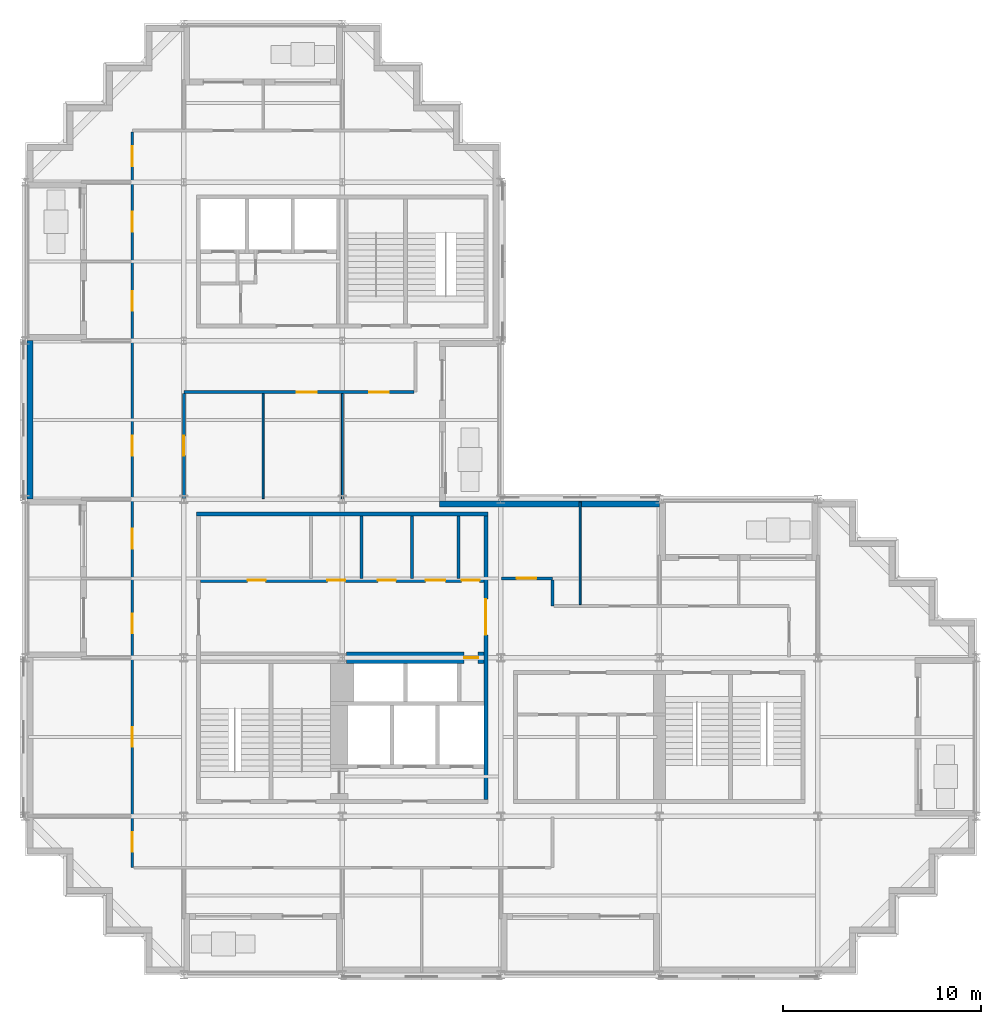
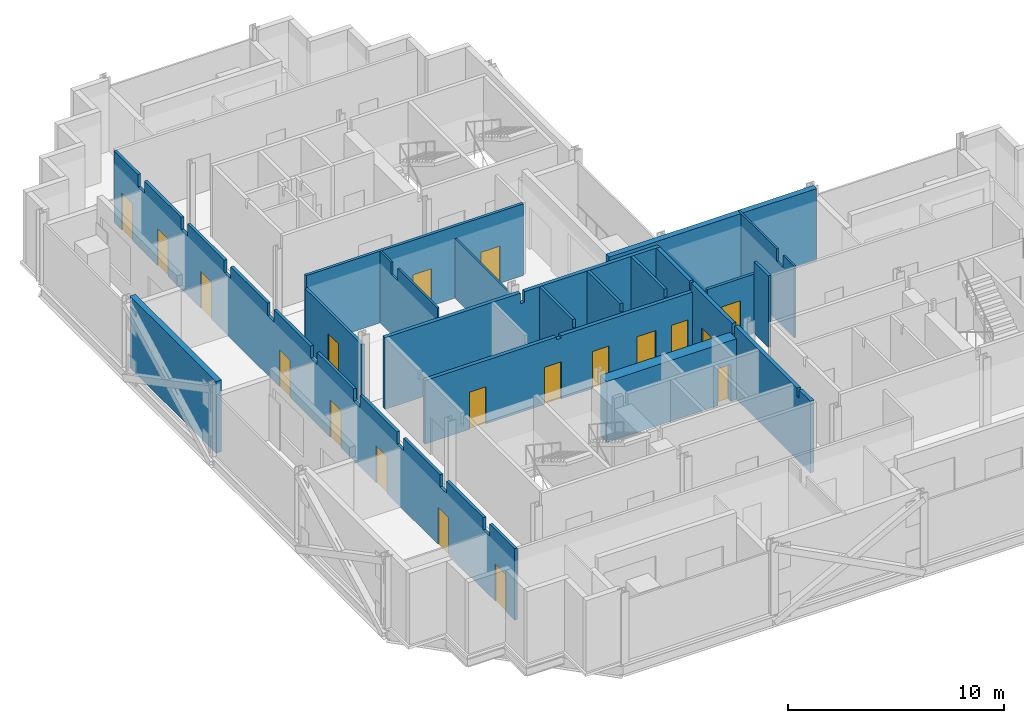
# One storey, part 6 of 13: 19 doors, 17 walls, 19 openings.
"""IFC4 building model written with IfcOpenShell, lengths in metres."""

import ifcopenshell
import ifcopenshell.guid

model = None  # the IFC model being written
_history = None  # IfcOwnerHistory: only IFC2X3 demands one
_inside = {}  # id of a spatial element -> (the spatial element, [elements in it])
_under = {}  # id of a project, library or spatial element -> (it, [spatial elements below it])
_declared = {}  # id of a project -> (the project, [libraries it declares])
_typed = {}  # id of a type object -> (the type object, [elements of that type])
_made_of = {}  # id of a material, layer set ... -> (it, [elements and type objects made of it])


def new_model(schema):
    """Start an empty IFC model of exactly this schema.

    Asked for "IFC4X3", IfcOpenShell would pick the latest addendum, in which some entities
    have other attributes; the version numbers below select the first issue.
    IFC2X3 requires an IfcOwnerHistory on every rooted entity: one is made here for all.
    """
    global model, _history
    if schema == "IFC4X3":
        model = ifcopenshell.file(schema_version=(4, 3, 0, 0))
    else:
        model = ifcopenshell.file(schema=schema)
    _inside.clear()
    _under.clear()
    _declared.clear()
    _typed.clear()
    _made_of.clear()
    _history = None
    if model.schema == "IFC2X3":
        org = make("IfcOrganization", Name="unknown")
        user = make(
            "IfcPersonAndOrganization",
            ThePerson=make("IfcPerson", FamilyName="unknown"),
            TheOrganization=org,
        )
        app = make(
            "IfcApplication",
            ApplicationDeveloper=org,
            Version="unknown",
            ApplicationFullName="unknown",
            ApplicationIdentifier="unknown",
        )
        _history = make(
            "IfcOwnerHistory",
            OwningUser=user,
            OwningApplication=app,
            ChangeAction="ADDED",
            CreationDate=0,
        )
    return model


def make(cls, **values):
    """One entity of the class cls with the attributes given. An attribute that is None is left unset."""
    return model.create_entity(
        cls, **{name: value for name, value in values.items() if value is not None}
    )


def rooted(cls, **values):
    """An entity with a GlobalId (a new one), such as an element, a storey or a relation."""
    return make(cls, GlobalId=ifcopenshell.guid.new(), OwnerHistory=_history, **values)


def si_unit(unit_type, name, prefix=None):
    """IfcSIUnit, for example si_unit("LENGTHUNIT", "METRE", prefix="MILLI")."""
    return make("IfcSIUnit", UnitType=unit_type, Prefix=prefix, Name=name)


def assignment(units):
    """IfcUnitAssignment: the units of a project."""
    return None if units is None else make("IfcUnitAssignment", Units=units)


def point(xyz):
    """IfcCartesianPoint."""
    return None if xyz is None else make("IfcCartesianPoint", Coordinates=xyz)


def direction(xyz):
    """IfcDirection."""
    return None if xyz is None else make("IfcDirection", DirectionRatios=xyz)


def frame(location, z_axis=None, x_axis=None):
    """IfcAxis2Placement3D, a coordinate frame: its origin and axes. An axis left out is left unset."""
    return make(
        "IfcAxis2Placement3D",
        Location=point(location),
        Axis=direction(z_axis),
        RefDirection=direction(x_axis),
    )


def frame_2d(location, x_axis=None):
    """IfcAxis2Placement2D, a coordinate frame in the plane: its origin and x axis."""
    return make(
        "IfcAxis2Placement2D", Location=point(location), RefDirection=direction(x_axis)
    )


def origin():
    """The frame at (0, 0, 0) with its axes left unset."""
    return frame((0.0, 0.0, 0.0))


def place(relative_to, where):
    """IfcLocalPlacement: puts the frame where relative to a parent placement (None: the world)."""
    return make(
        "IfcLocalPlacement", PlacementRelTo=relative_to, RelativePlacement=where
    )


def context(
    kind, dimensions, precision=None, world=None, true_north=None, identifier=None
):
    """IfcGeometricRepresentationContext, for example the 3D "Model" context."""
    return make(
        "IfcGeometricRepresentationContext",
        ContextIdentifier=identifier,
        ContextType=kind,
        CoordinateSpaceDimension=dimensions,
        Precision=precision,
        WorldCoordinateSystem=world,
        TrueNorth=true_north,
    )


def subcontext(parent, identifier, kind, view, scale=None):
    """IfcGeometricRepresentationSubContext, for example "Body" below "Model"."""
    return make(
        "IfcGeometricRepresentationSubContext",
        ContextIdentifier=identifier,
        ContextType=kind,
        ParentContext=parent,
        TargetScale=scale,
        TargetView=view,
    )


def project(units=None, contexts=None):
    """IfcProject with its units and contexts."""
    return rooted(
        "IfcProject",
        Name="project",
        RepresentationContexts=contexts,
        UnitsInContext=assignment(units),
    )


def spatial(cls, under=None, at=None, **own):
    """A site, building, storey or space (cls), placed at a placement, below another one or the project."""
    s = rooted(cls, ObjectPlacement=at, **own)
    if under is not None:
        _under.setdefault(under.id(), (under, []))[1].append(s)
    return s


def polyline(points):
    """IfcPolyline through the points."""
    return make("IfcPolyline", Points=[point(p) for p in points])


def profile(cls, at=None, kind="AREA", **sizes):
    """A parametric profile (cls). Its sizes go by their IFC names, for example OverallWidth=200.0."""
    return make(cls, ProfileType=kind, Position=at, **sizes)


def rectangle(**sizes):
    """IfcRectangleProfileDef."""
    return profile("IfcRectangleProfileDef", **sizes)


def outline(outer, holes=None, kind="AREA"):
    """IfcArbitraryClosedProfileDef: a profile drawn as a closed curve; with holes, ...WithVoids."""
    if holes is None:
        return make("IfcArbitraryClosedProfileDef", ProfileType=kind, OuterCurve=outer)
    return make(
        "IfcArbitraryProfileDefWithVoids",
        ProfileType=kind,
        OuterCurve=outer,
        InnerCurves=holes,
    )


def extrude(swept, where, along, depth):
    """IfcExtrudedAreaSolid: the profile swept, set in the frame where, extruded along a direction by depth."""
    return make(
        "IfcExtrudedAreaSolid",
        SweptArea=swept,
        Position=where,
        ExtrudedDirection=direction(along),
        Depth=depth,
    )


def shape(context_of_items, identifier, shape_type, items):
    """IfcShapeRepresentation: the items that make up one representation, for example the "Body"."""
    return make(
        "IfcShapeRepresentation",
        ContextOfItems=context_of_items,
        RepresentationIdentifier=identifier,
        RepresentationType=shape_type,
        Items=items,
    )


def material(Name=None, Category=None):
    """IfcMaterial."""
    return make("IfcMaterial", Name=Name, Category=Category)


def layer(
    of_material, thickness, ventilated=None, Name=None, Category=None, Priority=None
):
    """IfcMaterialLayer: one layer of a wall or slab, of a material (None: an air gap)."""
    return make(
        "IfcMaterialLayer",
        Material=of_material,
        LayerThickness=thickness,
        IsVentilated=ventilated,
        Name=Name,
        Category=Category,
        Priority=Priority,
    )


def layer_set(layers, Name=None):
    """IfcMaterialLayerSet."""
    return make("IfcMaterialLayerSet", MaterialLayers=layers, LayerSetName=Name)


def made_of(thing, what):
    """Note that an element or type object is made of a material, layer set ...; save() writes the relation."""
    if what is not None:
        _made_of.setdefault(what.id(), (what, []))[1].append(thing)
    return thing


def type_object(cls, material=None, **own):
    """A type object (cls), such as IfcWallType, which elements share."""
    return made_of(rooted(cls, **own), material)


def element(
    cls,
    number,
    at=None,
    inside=None,
    cuts=None,
    type_object=None,
    material=None,
    context=None,
    identifier="Body",
    shape_type=None,
    held_by="IfcProductDefinitionShape",
    body=None,
    shapes=None,
    **own,
):
    """One element of the class cls, such as IfcWall. Its Tag is "e" and its number.

    at: its placement. inside: the storey or other place that contains it. cuts: it is an
    opening in that element (IfcRelVoidsElement). A single representation is given by context,
    identifier, shape_type and body (its items); several are given by shapes. held_by: the class
    of the entity that holds the representations. save() writes the other relations.
    """
    e = rooted(cls, Tag="e%d" % number, ObjectPlacement=at, **own)
    if body is not None:
        shapes = [shape(context, identifier, shape_type, body)]
    if shapes is not None:
        e.Representation = make(held_by, Representations=shapes)
    if inside is not None:
        _inside.setdefault(inside.id(), (inside, []))[1].append(e)
    if cuts is not None:
        rooted(
            "IfcRelVoidsElement", RelatingBuildingElement=cuts, RelatedOpeningElement=e
        )
    if type_object is not None:
        _typed.setdefault(type_object.id(), (type_object, []))[1].append(e)
    return made_of(e, material)


def fill(opening, filler):
    """IfcRelFillsElement: the door or window that sits in an opening."""
    return rooted(
        "IfcRelFillsElement",
        RelatingOpeningElement=opening,
        RelatedBuildingElement=filler,
    )


def aggregate(whole, parts):
    """IfcRelAggregates: a whole, such as a stair, and the parts it consists of."""
    return rooted("IfcRelAggregates", RelatingObject=whole, RelatedObjects=parts)


def save(model, path):
    """Write the relations noted so far, then the file.

    IfcRelAggregates (storeys below a building ...), IfcRelContainedInSpatialStructure (elements
    in a storey), IfcRelDefinesByType, IfcRelAssociatesMaterial and IfcRelDeclares: one each for
    every whole, place, type object, material and project.
    """
    for whole, parts in _under.values():
        aggregate(whole, parts)
    for where, things in _inside.values():
        rooted(
            "IfcRelContainedInSpatialStructure",
            RelatedElements=things,
            RelatingStructure=where,
        )
    for kind, things in _typed.values():
        rooted("IfcRelDefinesByType", RelatedObjects=things, RelatingType=kind)
    for what, things in _made_of.values():
        rooted("IfcRelAssociatesMaterial", RelatedObjects=things, RelatingMaterial=what)
    for by, libraries in _declared.values():
        rooted("IfcRelDeclares", RelatingContext=by, RelatedDefinitions=libraries)
    model.write(path)


model = new_model("IFC4")

# Units and contexts
model_context = context("Model", 3, precision=1e-05, world=origin(), true_north=direction((0.0, 1.0)))
body_context = subcontext(model_context, "Body", "Model", "MODEL_VIEW")
ifc_project = project(units=[si_unit("LENGTHUNIT", "METRE"), si_unit("AREAUNIT", "SQUARE_METRE"), si_unit("VOLUMEUNIT", "CUBIC_METRE"), si_unit("PLANEANGLEUNIT", "RADIAN"), si_unit("MASSUNIT", "GRAM", prefix="KILO")], contexts=[model_context])

# Site, building, storey
site_placement = place(None, origin())
site = spatial("IfcSite", under=ifc_project, at=site_placement, CompositionType="ELEMENT")
building_placement = place(site_placement, origin())
building = spatial("IfcBuilding", under=site, at=building_placement, Name="Immortelle Media Tower", CompositionType="ELEMENT")
storey_placement = place(building_placement, frame((0.0, 0.0, 174.60009765625)))
storey = spatial("IfcBuildingStorey", under=building, at=storey_placement, Name="L36", CompositionType="ELEMENT", Elevation=174.60009765625)

# Wall, opening, door
ifc_material_1 = material(Name="Fire-rated masonry blockwork", Category="masonry")
ifc_layer_1 = layer(ifc_material_1, 0.60009765625)
ifc_layer_set_1 = layer_set([ifc_layer_1], Name="Fire-rated masonry blockwork")
wall_type_1 = type_object("IfcWallType", Name="Core grid-line wall 600", PredefinedType="PARTITIONING", material=ifc_layer_set_1)
wall_1_placement = place(storey_placement, frame((16.20947265625, 16.0, 0.0), z_axis=(0.0, 0.0, 1.0), x_axis=(1.0, 0.0, 0.0)))
wall_1 = element("IfcWall", 1, at=wall_1_placement, inside=storey, type_object=wall_type_1, Name="Core grid-line wall SW", PredefinedType="PARTITIONING", context=body_context, shape_type="SweptSolid", body=[
    extrude(rectangle(XDim=6.9404296875, YDim=0.60009765625, at=frame_2d((3.47021484375, 0.0))), origin(), (0.0, 0.0, 1.0), 3.44189453125),
])
opening_1_placement = place(wall_1_placement, frame((6.640380859375, 0.0, 0.0), z_axis=(0.0, 0.0, 1.0), x_axis=(-1.0, 0.0, 0.0)))
opening_1 = element("IfcOpeningElement", 2, at=opening_1_placement, cuts=wall_1, Name="Opening C6-K014", PredefinedType="OPENING", context=body_context, shape_type="SweptSolid", body=[
    extrude(rectangle(XDim=0.699951171875, YDim=2.10009765625, at=frame_2d((0.35009765625, 1.050048828125))), frame((0.0, 0.31005859375, 0.0), z_axis=(0.0, -1.0, 0.0), x_axis=(1.0, 0.0, 0.0)), (0.0, 0.0, 1.0), 0.6201171875),
])
ifc_material_2 = material(Name="Galvanised steel door leaf and frame ASTM A653", Category="steel")
door_type_1 = type_object("IfcDoorType", Name="Service door 700 x 2100", OperationType="NOTDEFINED", PredefinedType="NOTDEFINED", material=ifc_material_2)
door_1_placement = place(opening_1_placement, origin())
door_1 = element("IfcDoor", 3, at=door_1_placement, inside=storey, type_object=door_type_1, Name="Service C6-K014", OperationType="SINGLE_SWING_RIGHT", OverallHeight=2.10009765625, OverallWidth=0.699951171875, PredefinedType="NOTDEFINED", context=body_context, shape_type="SweptSolid", body=[
    extrude(rectangle(XDim=0.699951171875, YDim=2.10009765625, at=frame_2d((0.35009765625, 1.050048828125))), frame((0.0, 0.02490234375, 0.0), z_axis=(0.0, -1.0, 0.0), x_axis=(1.0, 0.0, 0.0)), (0.0, 0.0, 1.0), 0.050048828125),
])
fill(opening_1, door_1)

# Walls
ifc_material_3 = material(Name="Fire-rated gypsum board", Category="gypsum")
ifc_layer_2 = layer(ifc_material_3, 0.02490234375)
ifc_material_4 = material(Name="Steel ASTM A653 SS Gr 50 stud frame with mineral wool", Category="steel")
ifc_layer_3 = layer(ifc_material_4, 0.10009765625)
ifc_layer_4 = layer(ifc_material_3, 0.02490234375)
ifc_layer_set_2 = layer_set([ifc_layer_2, ifc_layer_3, ifc_layer_4], Name="Steel ASTM A653 SS Gr 50 stud frame with mineral wool")
wall_type_2 = type_object("IfcWallType", Name="Core partition 150", PredefinedType="PARTITIONING", material=ifc_layer_set_2)
for number, where, z_axis, x_axis, name in (
    (4, (16.97509765625, 20.0, 0.0), (0.0, 0.0, 1.0), (0.0, 1.0, 0.0), "Core partition SW"),
    (5, (19.52490234375, 20.0, 0.0), (0.0, 0.0, 1.0), (0.0, 1.0, 0.0), "Core partition SW"),
    (6, (21.875, 20.0, 0.0), (0.0, 0.0, 1.0), (0.0, 1.0, 0.0), "Core partition SW"),
):
    element("IfcWall", number, at=place(storey_placement, frame(where, z_axis=z_axis, x_axis=x_axis)), inside=storey, type_object=wall_type_2, Name=name, PredefinedType="PARTITIONING", context=body_context, shape_type="SweptSolid", body=[
        extrude(outline(polyline([(0.0, 0.0), (3.14990234375, 0.0), (3.14990234375, 4.0498046875), (0.08154296875, 4.0498046875), (0.08056640625, 3.5888671875), (0.0, 3.5888671875), (0.0, 0.0)])), frame((0.0, 0.074951171875, 0.0), z_axis=(0.0, -1.0, 0.0), x_axis=(1.0, 0.0, 0.0)), (0.0, 0.0, 1.0), 0.14990234375),
    ])
ifc_layer_5 = layer(ifc_material_3, 0.03759765625)
ifc_layer_6 = layer(ifc_material_4, 0.125)
ifc_layer_7 = layer(ifc_material_3, 0.03759765625)
ifc_layer_set_3 = layer_set([ifc_layer_5, ifc_layer_6, ifc_layer_7], Name="Steel ASTM A653 SS Gr 50 stud frame with mineral wool")
wall_type_3 = type_object("IfcWallType", Name="Core shaft wall 200", PredefinedType="PARTITIONING", material=ifc_layer_set_3)
wall_2_placement = place(storey_placement, frame((8.64990234375, 23.25, 0.0), z_axis=(0.0, 0.0, 1.0), x_axis=(1.0, 0.0, 0.0)))
element("IfcWall", 7, at=wall_2_placement, inside=storey, type_object=wall_type_3, Name="Core shaft wall SW", PredefinedType="PARTITIONING", context=body_context, shape_type="SweptSolid", body=[
    extrude(outline(polyline([(0.0, 0.0), (14.7001953125, 0.0), (14.699951171875, 4.0498046875), (7.468994140625, 4.0498046875), (7.468017578125, 3.44189453125), (7.23193359375, 3.44189453125), (7.23095703125, 4.0498046875), (0.0, 4.0498046875), (0.0, 0.0)])), frame((0.0, 0.10009765625, 0.0), z_axis=(0.0, -1.0, 0.0), x_axis=(1.0, 0.0, 0.0)), (0.0, 0.0, 1.0), 0.199951171875),
])

# Wall, openings, doors
wall_3_placement = place(storey_placement, frame((8.85009765625, 19.89990234375, 0.0), z_axis=(0.0, 0.0, 1.0), x_axis=(1.0, 0.0, 0.0)))
wall_3 = element("IfcWall", 8, at=wall_3_placement, inside=storey, type_object=wall_type_3, Name="Core shaft wall SW", PredefinedType="PARTITIONING", context=body_context, shape_type="SweptSolid", body=[
    extrude(outline(polyline([(0.0, 0.0), (14.2998046875, 0.0), (14.300048828125, 3.5888671875), (7.26904296875, 3.5888671875), (7.26806640625, 3.44189453125), (7.031982421875, 3.44189453125), (7.031005859375, 3.5888671875), (0.0, 3.5888671875), (0.0, 0.0)])), frame((0.0, 0.10009765625, 0.0), z_axis=(0.0, -1.0, 0.0), x_axis=(1.0, 0.0, 0.0)), (0.0, 0.0, 1.0), 0.199951171875),
])
opening_2_placement = place(wall_3_placement, frame((2.375, 0.0, 0.0)))
opening_2 = element("IfcOpeningElement", 9, at=opening_2_placement, cuts=wall_3, Name="Opening C6-K003", PredefinedType="OPENING", context=body_context, shape_type="SweptSolid", body=[
    extrude(rectangle(XDim=0.89990234375, YDim=2.10009765625, at=frame_2d((0.449951171875, 1.050048828125))), frame((0.0, 0.10986328125, 0.0), z_axis=(0.0, -1.0, 0.0), x_axis=(1.0, 0.0, 0.0)), (0.0, 0.0, 1.0), 0.219970703125),
])
opening_3_placement = place(wall_3_placement, frame((6.39990234375, 0.0, 0.0)))
opening_3 = element("IfcOpeningElement", 10, at=opening_3_placement, cuts=wall_3, Name="Opening C6-K005", PredefinedType="OPENING", context=body_context, shape_type="SweptSolid", body=[
    extrude(rectangle(XDim=0.89990234375, YDim=2.10009765625, at=frame_2d((0.449951171875, 1.050048828125))), frame((0.0, 0.10986328125, 0.0), z_axis=(0.0, -1.0, 0.0), x_axis=(1.0, 0.0, 0.0)), (0.0, 0.0, 1.0), 0.219970703125),
])
opening_4_placement = place(wall_3_placement, frame((8.949951171875, 0.0, 0.0)))
opening_4 = element("IfcOpeningElement", 11, at=opening_4_placement, cuts=wall_3, Name="Opening C6-K008", PredefinedType="OPENING", context=body_context, shape_type="SweptSolid", body=[
    extrude(rectangle(XDim=0.89990234375, YDim=2.10009765625, at=frame_2d((0.449951171875, 1.050048828125))), frame((0.0, 0.10986328125, 0.0), z_axis=(0.0, -1.0, 0.0), x_axis=(1.0, 0.0, 0.0)), (0.0, 0.0, 1.0), 0.219970703125),
])
opening_5_placement = place(wall_3_placement, frame((11.35009765625, 0.0, 0.0)))
opening_5 = element("IfcOpeningElement", 12, at=opening_5_placement, cuts=wall_3, Name="Opening C6-K011", PredefinedType="OPENING", context=body_context, shape_type="SweptSolid", body=[
    extrude(rectangle(XDim=1.0, YDim=2.10009765625, at=frame_2d((0.5, 1.050048828125))), frame((0.0, 0.10986328125, 0.0), z_axis=(0.0, -1.0, 0.0), x_axis=(1.0, 0.0, 0.0)), (0.0, 0.0, 1.0), 0.219970703125),
])
opening_6_placement = place(wall_3_placement, frame((13.175048828125, 0.0, 0.0)))
opening_6 = element("IfcOpeningElement", 13, at=opening_6_placement, cuts=wall_3, Name="Opening C6-K013", PredefinedType="OPENING", context=body_context, shape_type="SweptSolid", body=[
    extrude(rectangle(XDim=0.89990234375, YDim=2.10009765625, at=frame_2d((0.449951171875, 1.050048828125))), frame((0.0, 0.10986328125, 0.0), z_axis=(0.0, -1.0, 0.0), x_axis=(1.0, 0.0, 0.0)), (0.0, 0.0, 1.0), 0.219970703125),
])
ifc_material_5 = material(Name="Timber", Category="wood")
door_type_2 = type_object("IfcDoorType", Name="Accessible toilet door 1000 x 2100", OperationType="NOTDEFINED", PredefinedType="NOTDEFINED", material=ifc_material_5)
door_2_placement = place(opening_5_placement, origin())
door_2 = element("IfcDoor", 14, at=door_2_placement, inside=storey, type_object=door_type_2, Name="Accessible toilet C6-K011", OperationType="SINGLE_SWING_LEFT", OverallHeight=2.10009765625, OverallWidth=1.0, PredefinedType="NOTDEFINED", context=body_context, shape_type="SweptSolid", body=[
    extrude(rectangle(XDim=1.0, YDim=2.10009765625, at=frame_2d((0.5, 1.050048828125))), frame((0.0, 0.02490234375, 0.0), z_axis=(0.0, -1.0, 0.0), x_axis=(1.0, 0.0, 0.0)), (0.0, 0.0, 1.0), 0.050048828125),
])
fill(opening_5, door_2)
door_type_3 = type_object("IfcDoorType", Name="Room door 900 x 2100", OperationType="NOTDEFINED", PredefinedType="NOTDEFINED", material=ifc_material_5)
door_3_placement = place(opening_2_placement, origin())
door_3 = element("IfcDoor", 15, at=door_3_placement, inside=storey, type_object=door_type_3, Name="Room C6-K003", OperationType="SINGLE_SWING_RIGHT", OverallHeight=2.10009765625, OverallWidth=0.89990234375, PredefinedType="NOTDEFINED", context=body_context, shape_type="SweptSolid", body=[
    extrude(rectangle(XDim=0.89990234375, YDim=2.10009765625, at=frame_2d((0.449951171875, 1.050048828125))), frame((0.0, 0.02490234375, 0.0), z_axis=(0.0, -1.0, 0.0), x_axis=(1.0, 0.0, 0.0)), (0.0, 0.0, 1.0), 0.050048828125),
])
fill(opening_2, door_3)
door_type_4 = type_object("IfcDoorType", Name="Service door 900 x 2100", OperationType="NOTDEFINED", PredefinedType="NOTDEFINED", material=ifc_material_2)
door_4_placement = place(opening_6_placement, origin())
door_4 = element("IfcDoor", 16, at=door_4_placement, inside=storey, type_object=door_type_4, Name="Service C6-K013", OperationType="SINGLE_SWING_LEFT", OverallHeight=2.10009765625, OverallWidth=0.89990234375, PredefinedType="NOTDEFINED", context=body_context, shape_type="SweptSolid", body=[
    extrude(rectangle(XDim=0.89990234375, YDim=2.10009765625, at=frame_2d((0.449951171875, 1.050048828125))), frame((0.0, 0.02490234375, 0.0), z_axis=(0.0, -1.0, 0.0), x_axis=(1.0, 0.0, 0.0)), (0.0, 0.0, 1.0), 0.050048828125),
])
fill(opening_6, door_4)
door_type_5 = type_object("IfcDoorType", Name="Toilet door 900 x 2100", OperationType="NOTDEFINED", PredefinedType="NOTDEFINED", material=ifc_material_5)
door_5_placement = place(opening_3_placement, origin())
door_5 = element("IfcDoor", 17, at=door_5_placement, inside=storey, type_object=door_type_5, Name="Toilet C6-K005", OperationType="SINGLE_SWING_RIGHT", OverallHeight=2.10009765625, OverallWidth=0.89990234375, PredefinedType="NOTDEFINED", context=body_context, shape_type="SweptSolid", body=[
    extrude(rectangle(XDim=0.89990234375, YDim=2.10009765625, at=frame_2d((0.449951171875, 1.050048828125))), frame((0.0, 0.02490234375, 0.0), z_axis=(0.0, -1.0, 0.0), x_axis=(1.0, 0.0, 0.0)), (0.0, 0.0, 1.0), 0.050048828125),
])
fill(opening_3, door_5)
door_6_placement = place(opening_4_placement, origin())
door_6 = element("IfcDoor", 18, at=door_6_placement, inside=storey, type_object=door_type_5, Name="Toilet C6-K008", OperationType="SINGLE_SWING_RIGHT", OverallHeight=2.10009765625, OverallWidth=0.89990234375, PredefinedType="NOTDEFINED", context=body_context, shape_type="SweptSolid", body=[
    extrude(rectangle(XDim=0.89990234375, YDim=2.10009765625, at=frame_2d((0.449951171875, 1.050048828125))), frame((0.0, 0.02490234375, 0.0), z_axis=(0.0, -1.0, 0.0), x_axis=(1.0, 0.0, 0.0)), (0.0, 0.0, 1.0), 0.050048828125),
])
fill(opening_4, door_6)

# Wall, opening, door
wall_4_placement = place(storey_placement, frame((23.25, 8.85009765625, 0.0), z_axis=(0.0, 0.0, 1.0), x_axis=(0.0, 1.0, 0.0)))
wall_4 = element("IfcWall", 19, at=wall_4_placement, inside=storey, type_object=wall_type_3, Name="Core shaft wall SW", PredefinedType="PARTITIONING", context=body_context, shape_type="SweptSolid", body=[
    extrude(outline(polyline([(0.0, 0.0), (14.2998046875, 0.0), (14.300048828125, 4.0498046875), (11.2314453125, 4.0498046875), (11.23046875, 3.5888671875), (11.069580078125, 3.5888671875), (11.068603515625, 4.0498046875), (7.26904296875, 4.0498046875), (7.26806640625, 3.44189453125), (7.031982421875, 3.44189453125), (7.031005859375, 4.0498046875), (1.2314453125, 4.0498046875), (1.23046875, 3.5888671875), (1.069580078125, 3.5888671875), (1.068603515625, 4.0498046875), (0.0, 4.0498046875), (0.0, 0.0)])), frame((0.0, 0.10009765625, 0.0), z_axis=(0.0, -1.0, 0.0), x_axis=(1.0, 0.0, 0.0)), (0.0, 0.0, 1.0), 0.199951171875),
])
opening_7_placement = place(wall_4_placement, frame((8.300048828125, 0.0, 0.0)))
opening_7 = element("IfcOpeningElement", 20, at=opening_7_placement, cuts=wall_4, Name="Opening C6-K015", PredefinedType="OPENING", context=body_context, shape_type="SweptSolid", body=[
    extrude(rectangle(XDim=1.800048828125, YDim=2.10009765625, at=frame_2d((0.89990234375, 1.050048828125))), frame((0.0, 0.10986328125, 0.0), z_axis=(0.0, -1.0, 0.0), x_axis=(1.0, 0.0, 0.0)), (0.0, 0.0, 1.0), 0.219970703125),
])
door_type_6 = type_object("IfcDoorType", Name="Lift lobby door 1800 x 2100", OperationType="DOUBLE_DOOR_SINGLE_SWING", PredefinedType="NOTDEFINED", material=ifc_material_2)
door_7_placement = place(opening_7_placement, origin())
door_7 = element("IfcDoor", 21, at=door_7_placement, inside=storey, type_object=door_type_6, Name="Lift lobby C6-K015", OperationType="DOUBLE_DOOR_SINGLE_SWING", OverallHeight=2.10009765625, OverallWidth=1.800048828125, PredefinedType="NOTDEFINED", context=body_context, shape_type="SweptSolid", body=[
    extrude(rectangle(XDim=1.800048828125, YDim=2.10009765625, at=frame_2d((0.89990234375, 1.050048828125))), frame((0.0, 0.02490234375, 0.0), z_axis=(0.0, -1.0, 0.0), x_axis=(1.0, 0.0, 0.0)), (0.0, 0.0, 1.0), 0.050048828125),
])
fill(opening_7, door_7)

# Wall, openings, doors
ifc_layer_8 = layer(ifc_material_3, 0.012451171875)
ifc_layer_9 = layer(ifc_material_4, 0.125)
ifc_layer_10 = layer(ifc_material_3, 0.012451171875)
ifc_layer_set_4 = layer_set([ifc_layer_8, ifc_layer_9, ifc_layer_10], Name="Steel ASTM A653 SS Gr 50 stud frame with mineral wool")
wall_type_4 = type_object("IfcWallType", Name="Corridor wall 150", PredefinedType="PARTITIONING", material=ifc_layer_set_4)
wall_5_placement = place(storey_placement, frame((5.39990234375, 5.39990234375, 0.0), z_axis=(0.0, 0.0, 1.0), x_axis=(0.0, 1.0, 0.0)))
wall_5 = element("IfcWall", 22, at=wall_5_placement, inside=storey, type_object=wall_type_4, Name="Partition L36-006", PredefinedType="PARTITIONING", context=body_context, shape_type="SweptSolid", body=[
    extrude(outline(polyline([(0.0, 0.0), (37.125, 0.0), (37.125, 4.0498046875), (34.89990234375, 4.0498046875), (34.89794921875, 3.35400390625), (34.302001953125, 3.35400390625), (34.300048828125, 4.0498046875), (30.89990234375, 4.0498046875), (30.89794921875, 3.35400390625), (30.302001953125, 3.35400390625), (30.300048828125, 4.0498046875), (26.89990234375, 4.0498046875), (26.89794921875, 3.35400390625), (26.302001953125, 3.35400390625), (26.300048828125, 4.0498046875), (22.89990234375, 4.0498046875), (22.89794921875, 3.35400390625), (22.302001953125, 3.35400390625), (22.300048828125, 4.0498046875), (18.89990234375, 4.0498046875), (18.89794921875, 3.35400390625), (18.302001953125, 3.35400390625), (18.300048828125, 4.0498046875), (14.89990234375, 4.0498046875), (14.89794921875, 3.35400390625), (14.302001953125, 3.35400390625), (14.300048828125, 4.0498046875), (10.89990234375, 4.0498046875), (10.89794921875, 3.35400390625), (10.302001953125, 3.35400390625), (10.300048828125, 4.0498046875), (6.89990234375, 4.0498046875), (6.89794921875, 3.35400390625), (6.302001953125, 3.35400390625), (6.300048828125, 4.0498046875), (2.89990234375, 4.0498046875), (2.89794921875, 3.35400390625), (2.302001953125, 3.35400390625), (2.300048828125, 4.0498046875), (0.0, 4.0498046875), (0.0, 0.0)])), frame((0.0, 0.074951171875, 0.0), z_axis=(0.0, -1.0, 0.0), x_axis=(1.0, 0.0, 0.0)), (0.0, 0.0, 1.0), 0.14990234375),
])
opening_8_placement = place(wall_5_placement, frame((0.800048828125, 0.0, 0.0)))
opening_8 = element("IfcOpeningElement", 23, at=opening_8_placement, cuts=wall_5, Name="Opening C6-F004", PredefinedType="OPENING", context=body_context, shape_type="SweptSolid", body=[
    extrude(rectangle(XDim=1.0, YDim=2.10009765625, at=frame_2d((0.5, 1.050048828125))), frame((0.0, 0.0849609375, 0.0), z_axis=(0.0, -1.0, 0.0), x_axis=(1.0, 0.0, 0.0)), (0.0, 0.0, 1.0), 0.169921875),
])
opening_9_placement = place(wall_5_placement, frame((6.10009765625, 0.0, 0.0)))
opening_9 = element("IfcOpeningElement", 24, at=opening_9_placement, cuts=wall_5, Name="Opening C6-F006", PredefinedType="OPENING", context=body_context, shape_type="SweptSolid", body=[
    extrude(rectangle(XDim=1.0, YDim=2.10009765625, at=frame_2d((0.5, 1.050048828125))), frame((0.0, 0.0849609375, 0.0), z_axis=(0.0, -1.0, 0.0), x_axis=(1.0, 0.0, 0.0)), (0.0, 0.0, 1.0), 0.169921875),
])
opening_10_placement = place(wall_5_placement, frame((11.824951171875, 0.0, 0.0)))
opening_10 = element("IfcOpeningElement", 25, at=opening_10_placement, cuts=wall_5, Name="Opening C6-F009", PredefinedType="OPENING", context=body_context, shape_type="SweptSolid", body=[
    extrude(rectangle(XDim=1.0, YDim=2.10009765625, at=frame_2d((0.5, 1.050048828125))), frame((0.0, 0.0849609375, 0.0), z_axis=(0.0, -1.0, 0.0), x_axis=(1.0, 0.0, 0.0)), (0.0, 0.0, 1.0), 0.169921875),
])
opening_11_placement = place(wall_5_placement, frame((16.10009765625, 0.0, 0.0)))
opening_11 = element("IfcOpeningElement", 26, at=opening_11_placement, cuts=wall_5, Name="Opening C6-F010", PredefinedType="OPENING", context=body_context, shape_type="SweptSolid", body=[
    extrude(rectangle(XDim=1.0, YDim=2.10009765625, at=frame_2d((0.5, 1.050048828125))), frame((0.0, 0.0849609375, 0.0), z_axis=(0.0, -1.0, 0.0), x_axis=(1.0, 0.0, 0.0)), (0.0, 0.0, 1.0), 0.169921875),
])
opening_12_placement = place(wall_5_placement, frame((20.800048828125, 0.0, 0.0)))
opening_12 = element("IfcOpeningElement", 27, at=opening_12_placement, cuts=wall_5, Name="Opening C6-F016", PredefinedType="OPENING", context=body_context, shape_type="SweptSolid", body=[
    extrude(rectangle(XDim=1.0, YDim=2.10009765625, at=frame_2d((0.5, 1.050048828125))), frame((0.0, 0.0849609375, 0.0), z_axis=(0.0, -1.0, 0.0), x_axis=(1.0, 0.0, 0.0)), (0.0, 0.0, 1.0), 0.169921875),
])
opening_13_placement = place(wall_5_placement, frame((28.10009765625, 0.0, 0.0)))
opening_13 = element("IfcOpeningElement", 28, at=opening_13_placement, cuts=wall_5, Name="Opening C6-F017", PredefinedType="OPENING", context=body_context, shape_type="SweptSolid", body=[
    extrude(rectangle(XDim=1.0, YDim=2.10009765625, at=frame_2d((0.5, 1.050048828125))), frame((0.0, 0.0849609375, 0.0), z_axis=(0.0, -1.0, 0.0), x_axis=(1.0, 0.0, 0.0)), (0.0, 0.0, 1.0), 0.169921875),
])
opening_14_placement = place(wall_5_placement, frame((32.10009765625, 0.0, 0.0)))
opening_14 = element("IfcOpeningElement", 29, at=opening_14_placement, cuts=wall_5, Name="Opening C6-F018", PredefinedType="OPENING", context=body_context, shape_type="SweptSolid", body=[
    extrude(rectangle(XDim=1.0, YDim=2.10009765625, at=frame_2d((0.5, 1.050048828125))), frame((0.0, 0.0849609375, 0.0), z_axis=(0.0, -1.0, 0.0), x_axis=(1.0, 0.0, 0.0)), (0.0, 0.0, 1.0), 0.169921875),
])
opening_15_placement = place(wall_5_placement, frame((35.39990234375, 0.0, 0.0)))
opening_15 = element("IfcOpeningElement", 30, at=opening_15_placement, cuts=wall_5, Name="Opening C6-F019", PredefinedType="OPENING", context=body_context, shape_type="SweptSolid", body=[
    extrude(rectangle(XDim=1.0, YDim=2.10009765625, at=frame_2d((0.5, 1.050048828125))), frame((0.0, 0.0849609375, 0.0), z_axis=(0.0, -1.0, 0.0), x_axis=(1.0, 0.0, 0.0)), (0.0, 0.0, 1.0), 0.169921875),
])
ifc_material_6 = material(Name="Timber veneered door leaf, galvanised steel frame ASTM A653", Category="steel")
door_type_7 = type_object("IfcDoorType", Name="Room door 1000 x 2100", OperationType="NOTDEFINED", PredefinedType="DOOR", material=ifc_material_6)
door_8_placement = place(opening_8_placement, origin())
door_8 = element("IfcDoor", 31, at=door_8_placement, inside=storey, type_object=door_type_7, Name="Door C6-F004", OperationType="SINGLE_SWING_RIGHT", OverallHeight=2.10009765625, OverallWidth=1.0, PredefinedType="DOOR", context=body_context, shape_type="SweptSolid", body=[
    extrude(rectangle(XDim=1.0, YDim=2.10009765625, at=frame_2d((0.5, 1.050048828125))), frame((0.0, 0.02490234375, 0.0), z_axis=(0.0, -1.0, 0.0), x_axis=(1.0, 0.0, 0.0)), (0.0, 0.0, 1.0), 0.050048828125),
])
fill(opening_8, door_8)
door_9_placement = place(opening_9_placement, origin())
door_9 = element("IfcDoor", 32, at=door_9_placement, inside=storey, type_object=door_type_7, Name="Door C6-F006", OperationType="SINGLE_SWING_RIGHT", OverallHeight=2.10009765625, OverallWidth=1.0, PredefinedType="DOOR", context=body_context, shape_type="SweptSolid", body=[
    extrude(rectangle(XDim=1.0, YDim=2.10009765625, at=frame_2d((0.5, 1.050048828125))), frame((0.0, 0.02490234375, 0.0), z_axis=(0.0, -1.0, 0.0), x_axis=(1.0, 0.0, 0.0)), (0.0, 0.0, 1.0), 0.050048828125),
])
fill(opening_9, door_9)
door_10_placement = place(opening_10_placement, origin())
door_10 = element("IfcDoor", 33, at=door_10_placement, inside=storey, type_object=door_type_7, Name="Door C6-F009", OperationType="SINGLE_SWING_LEFT", OverallHeight=2.10009765625, OverallWidth=1.0, PredefinedType="DOOR", context=body_context, shape_type="SweptSolid", body=[
    extrude(rectangle(XDim=1.0, YDim=2.10009765625, at=frame_2d((0.5, 1.050048828125))), frame((0.0, 0.02490234375, 0.0), z_axis=(0.0, -1.0, 0.0), x_axis=(1.0, 0.0, 0.0)), (0.0, 0.0, 1.0), 0.050048828125),
])
fill(opening_10, door_10)
door_11_placement = place(opening_11_placement, origin())
door_11 = element("IfcDoor", 34, at=door_11_placement, inside=storey, type_object=door_type_7, Name="Door C6-F010", OperationType="SINGLE_SWING_RIGHT", OverallHeight=2.10009765625, OverallWidth=1.0, PredefinedType="DOOR", context=body_context, shape_type="SweptSolid", body=[
    extrude(rectangle(XDim=1.0, YDim=2.10009765625, at=frame_2d((0.5, 1.050048828125))), frame((0.0, 0.02490234375, 0.0), z_axis=(0.0, -1.0, 0.0), x_axis=(1.0, 0.0, 0.0)), (0.0, 0.0, 1.0), 0.050048828125),
])
fill(opening_11, door_11)
door_12_placement = place(opening_12_placement, origin())
door_12 = element("IfcDoor", 35, at=door_12_placement, inside=storey, type_object=door_type_7, Name="Door C6-F016", OperationType="SINGLE_SWING_LEFT", OverallHeight=2.10009765625, OverallWidth=1.0, PredefinedType="DOOR", context=body_context, shape_type="SweptSolid", body=[
    extrude(rectangle(XDim=1.0, YDim=2.10009765625, at=frame_2d((0.5, 1.050048828125))), frame((0.0, 0.02490234375, 0.0), z_axis=(0.0, -1.0, 0.0), x_axis=(1.0, 0.0, 0.0)), (0.0, 0.0, 1.0), 0.050048828125),
])
fill(opening_12, door_12)
door_13_placement = place(opening_13_placement, origin())
door_13 = element("IfcDoor", 36, at=door_13_placement, inside=storey, type_object=door_type_7, Name="Door C6-F017", OperationType="SINGLE_SWING_RIGHT", OverallHeight=2.10009765625, OverallWidth=1.0, PredefinedType="DOOR", context=body_context, shape_type="SweptSolid", body=[
    extrude(rectangle(XDim=1.0, YDim=2.10009765625, at=frame_2d((0.5, 1.050048828125))), frame((0.0, 0.02490234375, 0.0), z_axis=(0.0, -1.0, 0.0), x_axis=(1.0, 0.0, 0.0)), (0.0, 0.0, 1.0), 0.050048828125),
])
fill(opening_13, door_13)
door_14_placement = place(opening_14_placement, origin())
door_14 = element("IfcDoor", 37, at=door_14_placement, inside=storey, type_object=door_type_7, Name="Door C6-F018", OperationType="SINGLE_SWING_RIGHT", OverallHeight=2.10009765625, OverallWidth=1.0, PredefinedType="DOOR", context=body_context, shape_type="SweptSolid", body=[
    extrude(rectangle(XDim=1.0, YDim=2.10009765625, at=frame_2d((0.5, 1.050048828125))), frame((0.0, 0.02490234375, 0.0), z_axis=(0.0, -1.0, 0.0), x_axis=(1.0, 0.0, 0.0)), (0.0, 0.0, 1.0), 0.050048828125),
])
fill(opening_14, door_14)
door_15_placement = place(opening_15_placement, origin())
door_15 = element("IfcDoor", 38, at=door_15_placement, inside=storey, type_object=door_type_7, Name="Door C6-F019", OperationType="SINGLE_SWING_LEFT", OverallHeight=2.10009765625, OverallWidth=1.0, PredefinedType="DOOR", context=body_context, shape_type="SweptSolid", body=[
    extrude(rectangle(XDim=1.0, YDim=2.10009765625, at=frame_2d((0.5, 1.050048828125))), frame((0.0, 0.02490234375, 0.0), z_axis=(0.0, -1.0, 0.0), x_axis=(1.0, 0.0, 0.0)), (0.0, 0.0, 1.0), 0.050048828125),
])
fill(opening_15, door_15)

# Wall
wall_6_placement = place(storey_placement, frame((26.60009765625, 18.60009765625, 0.0), z_axis=(0.0, 0.0, 1.0), x_axis=(0.0, 1.0, 0.0)))
element("IfcWall", 39, at=wall_6_placement, inside=storey, type_object=wall_type_4, Name="Partition L36-013", PredefinedType="PARTITIONING", context=body_context, shape_type="SweptSolid", body=[
    extrude(rectangle(XDim=1.324951171875, YDim=0.14990234375, at=frame_2d((0.66259765625, 0.0))), origin(), (0.0, 0.0, 1.0), 4.0498046875),
])

# Wall, opening, door
wall_7_placement = place(storey_placement, frame((24.030029296875, 20.0, 0.0), z_axis=(0.0, 0.0, 1.0), x_axis=(1.0, 0.0, 0.0)))
wall_7 = element("IfcWall", 40, at=wall_7_placement, inside=storey, type_object=wall_type_4, Name="Partition L36-018", PredefinedType="PARTITIONING", context=body_context, shape_type="SweptSolid", body=[
    extrude(rectangle(XDim=2.570068359375, YDim=0.14990234375, at=frame_2d((1.28515625, 0.0))), origin(), (0.0, 0.0, 1.0), 3.35400390625),
])
opening_16_placement = place(wall_7_placement, frame((0.77001953125, 0.0, 0.0)))
opening_16 = element("IfcOpeningElement", 41, at=opening_16_placement, cuts=wall_7, Name="Opening C6-F011", PredefinedType="OPENING", context=body_context, shape_type="SweptSolid", body=[
    extrude(rectangle(XDim=1.0, YDim=2.10009765625, at=frame_2d((0.5, 1.050048828125))), frame((0.0, 0.0849609375, 0.0), z_axis=(0.0, -1.0, 0.0), x_axis=(1.0, 0.0, 0.0)), (0.0, 0.0, 1.0), 0.169921875),
])
door_16_placement = place(opening_16_placement, origin())
door_16 = element("IfcDoor", 42, at=door_16_placement, inside=storey, type_object=door_type_7, Name="Door C6-F011", OperationType="SINGLE_SWING_LEFT", OverallHeight=2.10009765625, OverallWidth=1.0, PredefinedType="DOOR", context=body_context, shape_type="SweptSolid", body=[
    extrude(rectangle(XDim=1.0, YDim=2.10009765625, at=frame_2d((0.5, 1.050048828125))), frame((0.0, 0.02490234375, 0.0), z_axis=(0.0, -1.0, 0.0), x_axis=(1.0, 0.0, 0.0)), (0.0, 0.0, 1.0), 0.050048828125),
])
fill(opening_16, door_16)

wall_8_placement = place(storey_placement, frame((8.0, 24.030029296875, 0.0), z_axis=(0.0, 0.0, 1.0), x_axis=(0.0, 1.0, 0.0)))
wall_8 = element("IfcWall", 43, at=wall_8_placement, inside=storey, type_object=wall_type_4, Name="Partition L36-020", PredefinedType="PARTITIONING", context=body_context, shape_type="SweptSolid", body=[
    extrude(rectangle(XDim=5.294921875, YDim=0.14990234375, at=frame_2d((2.6474609375, 0.0))), origin(), (0.0, 0.0, 1.0), 3.35400390625),
])
opening_17_placement = place(wall_8_placement, frame((3.169921875, 0.0, 0.0), z_axis=(0.0, 0.0, 1.0), x_axis=(-1.0, 0.0, 0.0)))
opening_17 = element("IfcOpeningElement", 44, at=opening_17_placement, cuts=wall_8, Name="Opening C6-F013", PredefinedType="OPENING", context=body_context, shape_type="SweptSolid", body=[
    extrude(rectangle(XDim=1.0, YDim=2.10009765625, at=frame_2d((0.5, 1.050048828125))), frame((0.0, 0.0849609375, 0.0), z_axis=(0.0, -1.0, 0.0), x_axis=(1.0, 0.0, 0.0)), (0.0, 0.0, 1.0), 0.169921875),
])
door_17_placement = place(opening_17_placement, origin())
door_17 = element("IfcDoor", 45, at=door_17_placement, inside=storey, type_object=door_type_7, Name="Door C6-F013", OperationType="SINGLE_SWING_RIGHT", OverallHeight=2.10009765625, OverallWidth=1.0, PredefinedType="DOOR", context=body_context, shape_type="SweptSolid", body=[
    extrude(rectangle(XDim=1.0, YDim=2.10009765625, at=frame_2d((0.5, 1.050048828125))), frame((0.0, 0.02490234375, 0.0), z_axis=(0.0, -1.0, 0.0), x_axis=(1.0, 0.0, 0.0)), (0.0, 0.0, 1.0), 0.050048828125),
])
fill(opening_17, door_17)

# Wall, openings, doors
wall_9_placement = place(storey_placement, frame((8.0, 29.39990234375, 0.0), z_axis=(0.0, 0.0, 1.0), x_axis=(1.0, 0.0, 0.0)))
wall_9 = element("IfcWall", 46, at=wall_9_placement, inside=storey, type_object=wall_type_4, Name="Partition L36-023", PredefinedType="PARTITIONING", context=body_context, shape_type="SweptSolid", body=[
    extrude(rectangle(XDim=11.625, YDim=0.14990234375, at=frame_2d((5.8125, 0.0))), origin(), (0.0, 0.0, 1.0), 4.0498046875),
])
opening_18_placement = place(wall_9_placement, frame((6.699951171875, 0.0, 0.0), z_axis=(0.0, 0.0, 1.0), x_axis=(-1.0, 0.0, 0.0)))
opening_18 = element("IfcOpeningElement", 47, at=opening_18_placement, cuts=wall_9, Name="Opening C6-F014", PredefinedType="OPENING", context=body_context, shape_type="SweptSolid", body=[
    extrude(rectangle(XDim=1.0, YDim=2.10009765625, at=frame_2d((0.5, 1.050048828125))), frame((0.0, 0.0849609375, 0.0), z_axis=(0.0, -1.0, 0.0), x_axis=(1.0, 0.0, 0.0)), (0.0, 0.0, 1.0), 0.169921875),
])
opening_19_placement = place(wall_9_placement, frame((10.35009765625, 0.0, 0.0), z_axis=(0.0, 0.0, 1.0), x_axis=(-1.0, 0.0, 0.0)))
opening_19 = element("IfcOpeningElement", 48, at=opening_19_placement, cuts=wall_9, Name="Opening C6-F015", PredefinedType="OPENING", context=body_context, shape_type="SweptSolid", body=[
    extrude(rectangle(XDim=1.0, YDim=2.10009765625, at=frame_2d((0.5, 1.050048828125))), frame((0.0, 0.0849609375, 0.0), z_axis=(0.0, -1.0, 0.0), x_axis=(1.0, 0.0, 0.0)), (0.0, 0.0, 1.0), 0.169921875),
])
door_18_placement = place(opening_18_placement, origin())
door_18 = element("IfcDoor", 49, at=door_18_placement, inside=storey, type_object=door_type_7, Name="Door C6-F014", OperationType="SINGLE_SWING_LEFT", OverallHeight=2.10009765625, OverallWidth=1.0, PredefinedType="DOOR", context=body_context, shape_type="SweptSolid", body=[
    extrude(rectangle(XDim=1.0, YDim=2.10009765625, at=frame_2d((0.5, 1.050048828125))), frame((0.0, 0.02490234375, 0.0), z_axis=(0.0, -1.0, 0.0), x_axis=(1.0, 0.0, 0.0)), (0.0, 0.0, 1.0), 0.050048828125),
])
fill(opening_18, door_18)
door_19_placement = place(opening_19_placement, origin())
door_19 = element("IfcDoor", 50, at=door_19_placement, inside=storey, type_object=door_type_7, Name="Door C6-F015", OperationType="SINGLE_SWING_RIGHT", OverallHeight=2.10009765625, OverallWidth=1.0, PredefinedType="DOOR", context=body_context, shape_type="SweptSolid", body=[
    extrude(rectangle(XDim=1.0, YDim=2.10009765625, at=frame_2d((0.5, 1.050048828125))), frame((0.0, 0.02490234375, 0.0), z_axis=(0.0, -1.0, 0.0), x_axis=(1.0, 0.0, 0.0)), (0.0, 0.0, 1.0), 0.050048828125),
])
fill(opening_19, door_19)

# Walls
ifc_material_7 = material(Name="Pale aluminium cladding panel", Category="aluminium")
ifc_layer_11 = layer(ifc_material_7, 0.030029296875)
ifc_layer_12 = layer(ifc_material_4, 0.257568359375)
ifc_material_8 = material(Name="Moisture-resistant gypsum board", Category="gypsum")
ifc_layer_13 = layer(ifc_material_8, 0.012451171875)
ifc_layer_set_5 = layer_set([ifc_layer_11, ifc_layer_12, ifc_layer_13], Name="Steel ASTM A653 SS Gr 50 stud frame with mineral wool")
wall_type_5 = type_object("IfcWallType", Name="Facade wall 300", PredefinedType="SOLIDWALL", material=ifc_layer_set_5)
wall_10_placement = place(storey_placement, frame((32.0, 23.75, 0.0), z_axis=(0.0, 0.0, 1.0), x_axis=(-1.0, 0.0, 0.0)))
element("IfcWall", 51, at=wall_10_placement, inside=storey, type_object=wall_type_5, Name="Facade wall L36 N20", PredefinedType="SOLIDWALL", context=body_context, shape_type="SweptSolid", body=[
    extrude(rectangle(XDim=11.10009765625, YDim=0.300048828125, at=frame_2d((5.550048828125, 0.0))), origin(), (0.0, 0.0, 1.0), 4.0498046875),
])
wall_11_placement = place(storey_placement, frame((0.25, 32.0, 0.0), z_axis=(0.0, 0.0, 1.0), x_axis=(0.0, -1.0, 0.0)))
element("IfcWall", 52, at=wall_11_placement, inside=storey, type_object=wall_type_5, Name="Facade wall L36 W35", PredefinedType="SOLIDWALL", context=body_context, shape_type="SweptSolid", body=[
    extrude(rectangle(XDim=8.0, YDim=0.300048828125, at=frame_2d((4.0, 0.0))), origin(), (0.0, 0.0, 1.0), 4.0498046875),
])
ifc_material_9 = material(Name="Gypsum board", Category="gypsum")
ifc_layer_14 = layer(ifc_material_9, 0.012451171875)
ifc_layer_15 = layer(ifc_material_4, 0.074951171875)
ifc_layer_16 = layer(ifc_material_9, 0.012451171875)
ifc_layer_set_6 = layer_set([ifc_layer_14, ifc_layer_15, ifc_layer_16], Name="Steel ASTM A653 SS Gr 50 stud frame with mineral wool")
wall_type_6 = type_object("IfcWallType", Name="Partition 100", PredefinedType="PARTITIONING", material=ifc_layer_set_6)
wall_12_placement = place(storey_placement, frame((28.0, 18.675048828125, 0.0), z_axis=(0.0, 0.0, 1.0), x_axis=(0.0, 1.0, 0.0)))
element("IfcWall", 53, at=wall_12_placement, inside=storey, type_object=wall_type_6, Name="Partition L36-014", PredefinedType="PARTITIONING", context=body_context, shape_type="SweptSolid", body=[
    extrude(outline(polyline([(0.0, 0.0), (5.195068359375, 0.0), (5.195068359375, 4.0498046875), (1.625, 4.0498046875), (1.623046875, 3.35400390625), (1.027099609375, 3.35400390625), (1.02490234375, 4.0498046875), (0.0, 4.0498046875), (0.0, 0.0)])), frame((0.0, 0.050048828125, 0.0), z_axis=(0.0, -1.0, 0.0), x_axis=(1.0, 0.0, 0.0)), (0.0, 0.0, 1.0), 0.10009765625),
])
wall_13_placement = place(storey_placement, frame((12.0, 24.030029296875, 0.0), z_axis=(0.0, 0.0, 1.0), x_axis=(0.0, 1.0, 0.0)))
element("IfcWall", 54, at=wall_13_placement, inside=storey, type_object=wall_type_6, Name="Partition L36-021", PredefinedType="PARTITIONING", context=body_context, shape_type="SweptSolid", body=[
    extrude(outline(polyline([(0.0, 0.0), (5.294921875, 0.0), (5.294921875, 4.0498046875), (4.27001953125, 4.0498046875), (4.26806640625, 3.35400390625), (3.672119140625, 3.35400390625), (3.669921875, 4.0498046875), (0.0, 4.0498046875), (0.0, 0.0)])), frame((0.0, 0.050048828125, 0.0), z_axis=(0.0, -1.0, 0.0), x_axis=(1.0, 0.0, 0.0)), (0.0, 0.0, 1.0), 0.10009765625),
])
wall_14_placement = place(storey_placement, frame((16.0, 24.030029296875, 0.0), z_axis=(0.0, 0.0, 1.0), x_axis=(0.0, 1.0, 0.0)))
element("IfcWall", 55, at=wall_14_placement, inside=storey, type_object=wall_type_6, Name="Partition L36-022", PredefinedType="PARTITIONING", context=body_context, shape_type="SweptSolid", body=[
    extrude(rectangle(XDim=5.294921875, YDim=0.10009765625, at=frame_2d((2.6474609375, 0.0))), origin(), (0.0, 0.0, 1.0), 3.35400390625),
])

save(model, "model.ifc")
